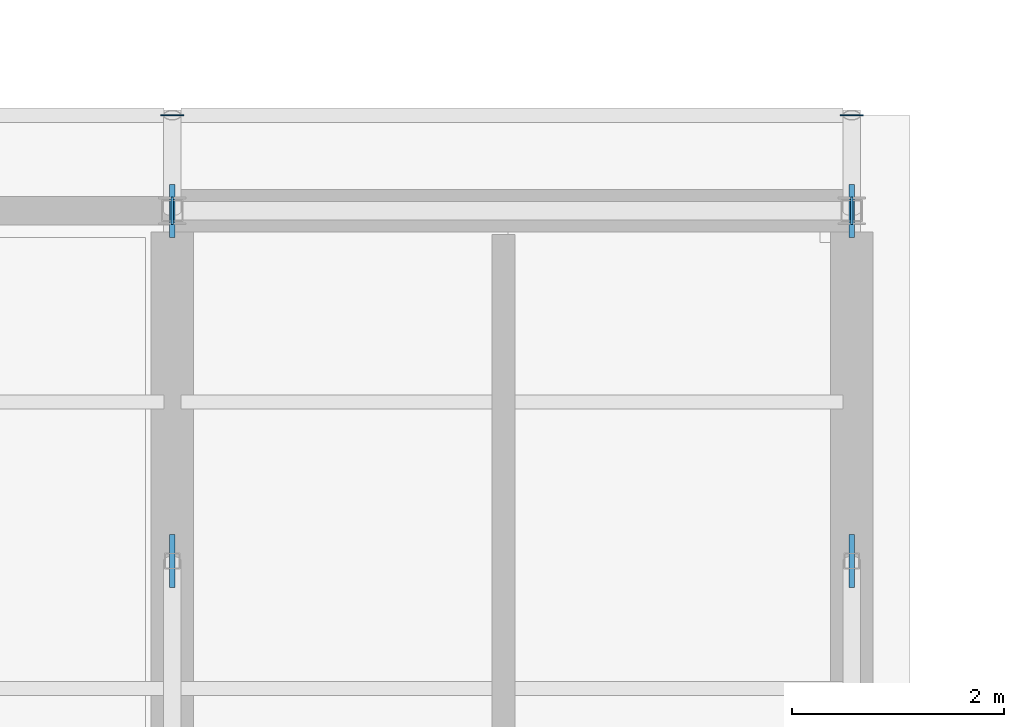
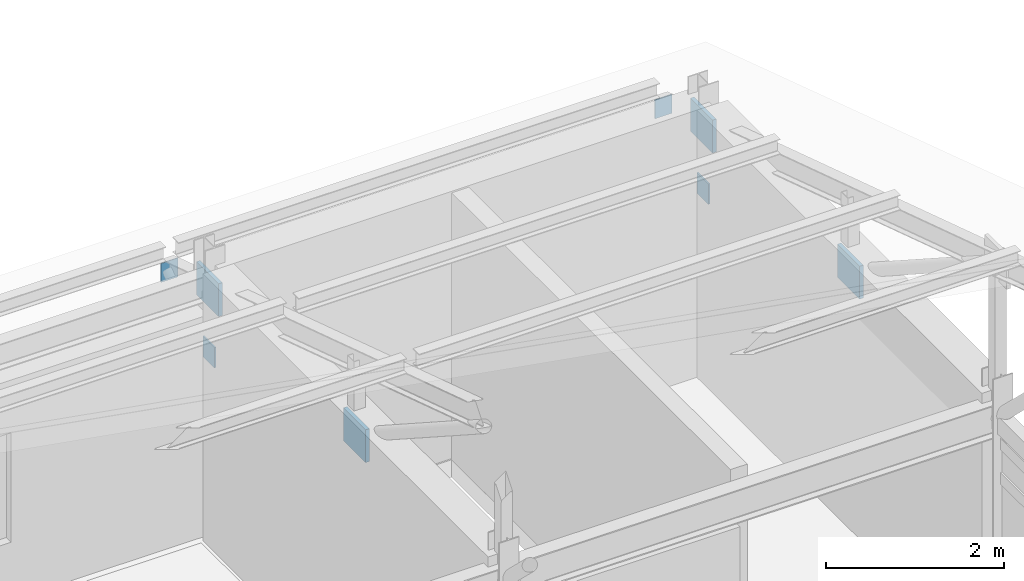
# One storey, part 42 of 57: 8 plates.
"""IFC4 building model written with IfcOpenShell, lengths in metres."""

from ifc_helpers import new_model, si_unit, direction, frame, origin, origin_2d, place, context, subcontext, project, spatial, rectangle, extrude, material, layer, layer_set, type_object, element, save


model = new_model("IFC4")

# Units and contexts
model_context = context("Model", 3, precision=1e-05, world=origin(), true_north=direction((0.0, 1.0)))
body_context = subcontext(model_context, "Body", "Model", "MODEL_VIEW")
ifc_project = project(units=[si_unit("LENGTHUNIT", "METRE"), si_unit("AREAUNIT", "SQUARE_METRE"), si_unit("VOLUMEUNIT", "CUBIC_METRE"), si_unit("PLANEANGLEUNIT", "RADIAN"), si_unit("MASSUNIT", "GRAM", prefix="KILO")], contexts=[model_context])

# Site, building, storey
site_placement = place(None, origin())
site = spatial("IfcSite", under=ifc_project, at=site_placement, CompositionType="ELEMENT")
building_placement = place(site_placement, origin())
building = spatial("IfcBuilding", under=site, at=building_placement, Name="Trelmorton Wharf Fire Station", CompositionType="ELEMENT")
storey_placement = place(building_placement, frame((0.0, 0.0, 13.5)))
storey = spatial("IfcBuildingStorey", under=building, at=storey_placement, Name="L03", CompositionType="ELEMENT", Elevation=13.5)

# Plates
ifc_material = material(Name="Steel Grade 350", Category="steel")
ifc_layer_1 = layer(ifc_material, 0.011962890625)
ifc_layer_set_1 = layer_set([ifc_layer_1], Name="Steel Grade 350")
plate_type_1 = type_object("IfcPlateType", Name="PL_ENDCAP_12", PredefinedType="SHEET", material=ifc_layer_set_1)
for number, where, z_axis, x_axis, name in (
    (1, (77.199951171875, 28.5, 2.84521484375), (0.0, 0.0, 1.0), (1.0, 0.0, 0.0), "PL-EC-0059"),
    (2, (83.60009765625, 28.5, 2.84521484375), (0.0, 0.0, 1.0), (1.0, 0.0, 0.0), "PL-EC-0063"),
):
    element("IfcPlate", number, at=place(storey_placement, frame(where, z_axis=z_axis, x_axis=x_axis)), inside=storey, type_object=plate_type_1, Name=name, PredefinedType="SHEET", context=body_context, shape_type="SweptSolid", body=[
        extrude(rectangle(XDim=0.219970703125, YDim=0.011962890625, at=origin_2d()), origin(), (0.0, 0.0, 1.0), 0.260009765625),
    ])
ifc_layer_2 = layer(ifc_material, 0.02001953125)
ifc_layer_set_2 = layer_set([ifc_layer_2], Name="Steel Grade 350")
plate_type_2 = type_object("IfcPlateType", Name="PL_ENDCAP_20", PredefinedType="SHEET", material=ifc_layer_set_2)
for number, where, z_axis, x_axis, name in (
    (3, (77.199951171875, 27.60009765625, 2.259765625), (0.0, 0.0, 1.0), (1.0, 0.0, 0.0), "PL-EC-0060"),
    (4, (83.60009765625, 27.60009765625, 2.259765625), (0.0, 0.0, 1.0), (1.0, 0.0, 0.0), "PL-EC-0064"),
):
    element("IfcPlate", number, at=place(storey_placement, frame(where, z_axis=z_axis, x_axis=x_axis)), inside=storey, type_object=plate_type_2, Name=name, PredefinedType="SHEET", context=body_context, shape_type="SweptSolid", body=[
        extrude(rectangle(XDim=0.02001953125, YDim=0.260009765625, at=origin_2d()), origin(), (0.0, 0.0, 1.0), 0.280029296875),
    ])
ifc_layer_3 = layer(ifc_material, 0.050048828125)
ifc_layer_set_3 = layer_set([ifc_layer_3], Name="Steel Grade 350")
plate_type_3 = type_object("IfcPlateType", Name="PL_GUSSET_TN2", PredefinedType="USERDEFINED", material=ifc_layer_set_3)
for number, where, z_axis, x_axis, name in (
    (5, (77.199951171875, 27.60009765625, 3.041015625), (0.0, 0.0, 1.0), (1.0, 0.0, 0.0), "PL-TN-0276"),
    (6, (77.199951171875, 24.300048828125, 3.041015625), (0.0, 0.0, 1.0), (1.0, 0.0, 0.0), "PL-TN-0281"),
    (7, (83.60009765625, 27.60009765625, 3.041015625), (0.0, 0.0, 1.0), (1.0, 0.0, 0.0), "PL-TN-0285"),
    (8, (83.60009765625, 24.300048828125, 3.041015625), (0.0, 0.0, 1.0), (1.0, 0.0, 0.0), "PL-TN-0290"),
):
    element("IfcPlate", number, at=place(storey_placement, frame(where, z_axis=z_axis, x_axis=x_axis)), inside=storey, type_object=plate_type_3, Name=name, ObjectType="GUSSET PLATE", PredefinedType="USERDEFINED", context=body_context, shape_type="SweptSolid", body=[
        extrude(rectangle(XDim=0.050048828125, YDim=0.5, at=origin_2d()), origin(), (0.0, 0.0, 1.0), 0.449951171875),
    ])

save(model, "model.ifc")
